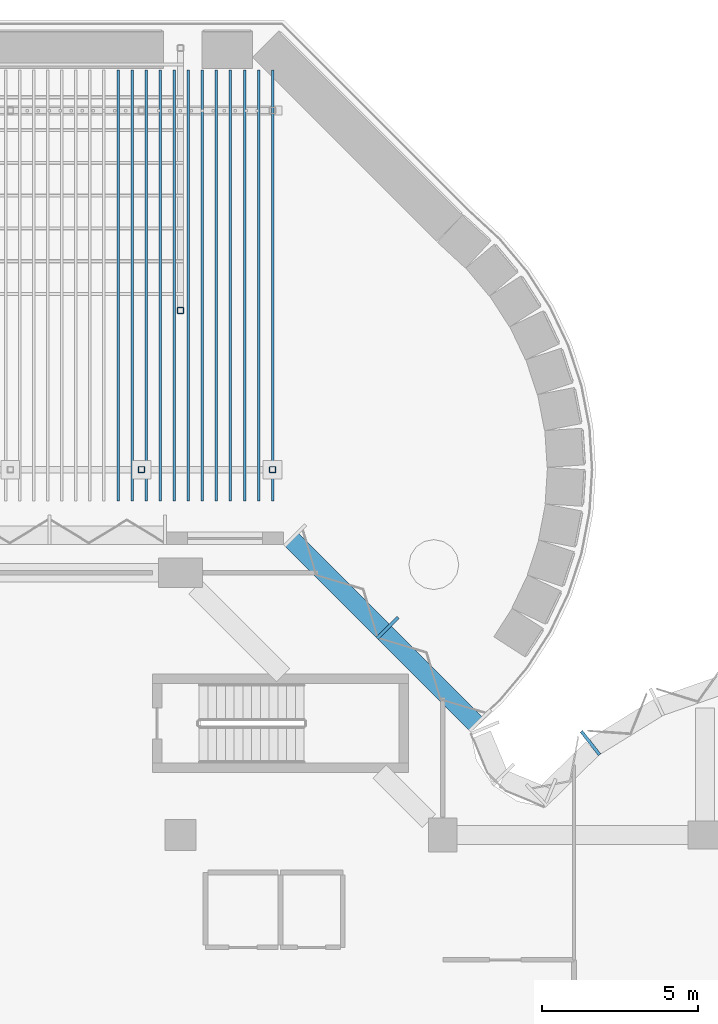
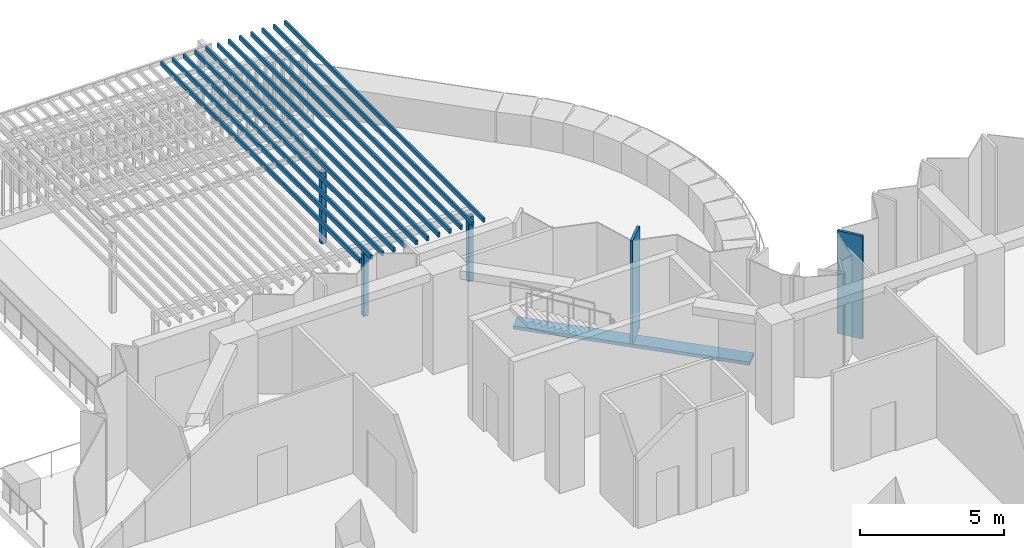
# One storey, part 4 of 15: 18 members, 2 elements without a shape of their own.
"""IFC4 building model written with IfcOpenShell, lengths in metres."""

from ifc_helpers import new_model, si_unit, direction, frame, origin, origin_2d, place, context, subcontext, project, spatial, rectangle, hollow_rectangle, extrude, material, material_profile, profile_set, type_object, element, aggregate, save


model = new_model("IFC4")

# Units and contexts
model_context = context("Model", 3, precision=1e-05, world=origin(), true_north=direction((0.0, 1.0)))
body_context = subcontext(model_context, "Body", "Model", "MODEL_VIEW")
ifc_project = project(units=[si_unit("LENGTHUNIT", "METRE"), si_unit("AREAUNIT", "SQUARE_METRE"), si_unit("VOLUMEUNIT", "CUBIC_METRE"), si_unit("PLANEANGLEUNIT", "RADIAN"), si_unit("MASSUNIT", "GRAM", prefix="KILO")], contexts=[model_context])

# Site, building, storey
site_placement = place(None, origin())
site = spatial("IfcSite", under=ifc_project, at=site_placement, CompositionType="ELEMENT")
building_placement = place(site_placement, origin())
building = spatial("IfcBuilding", under=site, at=building_placement, Name="Brevane Broadcast Tower", CompositionType="ELEMENT")
storey_placement = place(building_placement, frame((0.0, 0.0, 206.39990234375)))
storey = spatial("IfcBuildingStorey", under=building, at=storey_placement, Name="L52", CompositionType="ELEMENT", Elevation=206.39990234375)

# Curtain wall, member
ifc_material_1 = material(Name="Aluminium 6063-T6 bronze anodised", Category="aluminium")
curtain_wall_type = type_object("IfcCurtainWallType", Name="CW-4 curtain wall", PredefinedType="NOTDEFINED", material=ifc_material_1)
curtain_wall_1_placement = place(storey_placement, origin())
curtain_wall_1 = element("IfcCurtainWall", 1, at=curtain_wall_1_placement, inside=storey, type_object=curtain_wall_type, Name="CW-4 sky lobby unit L52 east bow", PredefinedType="NOTDEFINED")
ifc_material_profile_1 = material_profile(ifc_material_1, rectangle(XDim=0.949951171875, YDim=0.10009765625, at=origin_2d()), Name="RECT 100x950")
ifc_profile_set_1 = profile_set([ifc_material_profile_1], Name="Aluminium 6063-T6 bronze anodised")
member_type_1 = type_object("IfcMemberType", Name="CW-4 mullion 100x950", PredefinedType="MULLION", material=ifc_profile_set_1)
member_1_placement = place(storey_placement, frame((29.927978515625, 28.1455078125, -0.159912109375), z_axis=(0.0, 0.0, 1.0), x_axis=(0.614769698862, -0.788706673841, 0.0)))
member_1 = element("IfcMember", 2, at=member_1_placement, type_object=member_type_1, Name="CW-4 mullion", PredefinedType="MULLION", context=body_context, shape_type="SweptSolid", body=[
    extrude(rectangle(XDim=0.949951171875, YDim=0.10009765625, at=origin_2d()), origin(), (0.0, 0.0, 1.0), 4.360107421875),
])
aggregate(curtain_wall_1, [member_1])

# Curtain wall, members
curtain_wall_2_placement = place(storey_placement, origin())
curtain_wall_2 = element("IfcCurtainWall", 3, at=curtain_wall_2_placement, inside=storey, type_object=curtain_wall_type, Name="CW-4 sky lobby unit L52 north arm north-east chamfer", PredefinedType="NOTDEFINED")
member_2_placement = place(storey_placement, frame((23.435791015625, 31.8359375, -0.159912109375), z_axis=(0.0, 0.0, 1.0), x_axis=(-0.707106781187, -0.707106781187, 0.0)))
member_2 = element("IfcMember", 4, at=member_2_placement, type_object=member_type_1, Name="CW-4 mullion", PredefinedType="MULLION", context=body_context, shape_type="SweptSolid", body=[
    extrude(rectangle(XDim=0.949951171875, YDim=0.10009765625, at=origin_2d()), origin(), (0.0, 0.0, 1.0), 4.360107421875),
])
ifc_material_profile_2 = material_profile(ifc_material_1, rectangle(XDim=0.60009765625, YDim=0.139892578125, at=origin_2d()), Name="RECT 140x600")
ifc_profile_set_2 = profile_set([ifc_material_profile_2], Name="Aluminium 6063-T6 bronze anodised")
member_type_2 = type_object("IfcMemberType", Name="CW-4 transom 140x600", PredefinedType="USERDEFINED", material=ifc_profile_set_2)
member_3_placement = place(storey_placement, frame((26.31201171875, 28.712158203125, -0.22998046875), z_axis=(-0.707106781187, 0.707106781187, 0.0), x_axis=(-0.707106781187, -0.707106781187, 0.0)))
member_3 = element("IfcMember", 5, at=member_3_placement, type_object=member_type_2, Name="CW-4 transom", ObjectType="TRANSOM", PredefinedType="USERDEFINED", context=body_context, shape_type="SweptSolid", body=[
    extrude(rectangle(XDim=0.60009765625, YDim=0.139892578125, at=origin_2d()), origin(), (0.0, 0.0, 1.0), 8.4853515625),
])
aggregate(curtain_wall_2, [member_2, member_3])

# Members
ifc_material_2 = material(Name="Steel S355", Category="steel")
ifc_material_profile_3 = material_profile(ifc_material_2, hollow_rectangle(XDim=0.199951171875, YDim=0.199951171875, WallThickness=0.010009765625, InnerFilletRadius=0.010009765625, OuterFilletRadius=0.02001953125, at=origin_2d()), Name="RHS 200x200x10")
ifc_profile_set_3 = profile_set([ifc_material_profile_3], Name="Steel S355")
member_type_3 = type_object("IfcMemberType", Name="Sky garden pergola post RHS 200x200x10 S355", PredefinedType="POST", material=ifc_profile_set_3)
member_4_placement = place(storey_placement, frame((16.800048828125, 42.0, 0.0), z_axis=(0.0, 0.0, 1.0), x_axis=(1.0, 0.0, 0.0)))
element("IfcMember", 6, at=member_4_placement, inside=storey, type_object=member_type_3, Name="Sky garden pergola post L52-3", PredefinedType="POST", context=body_context, shape_type="SweptSolid", body=[
    extrude(hollow_rectangle(XDim=0.199951171875, YDim=0.199951171875, WallThickness=0.010009765625, InnerFilletRadius=0.010009765625, OuterFilletRadius=0.02001953125, at=origin_2d()), origin(), (0.0, 0.0, 1.0), 3.0),
])
for number, where, z_axis, x_axis, name in (
    (7, (15.550048828125, 36.89990234375, 0.4501953125), (0.0, 0.0, 1.0), (1.0, 0.0, 0.0), "Sky garden trellis post L52-3"),
    (8, (19.75, 36.89990234375, 0.4501953125), (0.0, 0.0, 1.0), (1.0, 0.0, 0.0), "Sky garden trellis post L52-4"),
):
    element("IfcMember", number, at=place(storey_placement, frame(where, z_axis=z_axis, x_axis=x_axis)), inside=storey, type_object=member_type_3, Name=name, PredefinedType="POST", context=body_context, shape_type="SweptSolid", body=[
        extrude(hollow_rectangle(XDim=0.199951171875, YDim=0.199951171875, WallThickness=0.010009765625, InnerFilletRadius=0.010009765625, OuterFilletRadius=0.02001953125, at=origin_2d()), origin(), (0.0, 0.0, 1.0), 2.75),
    ])
ifc_material_3 = material(Name="Glulam GL28h", Category="wood")
ifc_material_profile_4 = material_profile(ifc_material_3, rectangle(XDim=0.080078125, YDim=0.179931640625, at=origin_2d()), Name="RECT 80x180")
ifc_profile_set_4 = profile_set([ifc_material_profile_4], Name="Glulam GL28h")
member_type_4 = type_object("IfcMemberType", Name="Sky garden trellis rafter glulam 80x180 GL28h", PredefinedType="USERDEFINED", material=ifc_profile_set_4)
for number, where, z_axis, x_axis, name in (
    (9, (14.800048828125, 35.89990234375, 3.590087890625), (0.0, 1.0, 0.0), (-1.0, 0.0, 0.0), "Sky garden trellis rafter L52-18"),
    (10, (15.25, 35.89990234375, 3.590087890625), (0.0, 1.0, 0.0), (-1.0, 0.0, 0.0), "Sky garden trellis rafter L52-19"),
    (11, (15.699951171875, 35.89990234375, 3.590087890625), (0.0, 1.0, 0.0), (-1.0, 0.0, 0.0), "Sky garden trellis rafter L52-20"),
    (12, (16.14990234375, 35.89990234375, 3.590087890625), (0.0, 1.0, 0.0), (-1.0, 0.0, 0.0), "Sky garden trellis rafter L52-21"),
    (13, (16.60009765625, 35.89990234375, 3.590087890625), (0.0, 1.0, 0.0), (-1.0, 0.0, 0.0), "Sky garden trellis rafter L52-22"),
    (14, (17.050048828125, 35.89990234375, 3.590087890625), (0.0, 1.0, 0.0), (-1.0, 0.0, 0.0), "Sky garden trellis rafter L52-23"),
    (15, (17.5, 35.89990234375, 3.590087890625), (0.0, 1.0, 0.0), (-1.0, 0.0, 0.0), "Sky garden trellis rafter L52-24"),
    (16, (17.949951171875, 35.89990234375, 3.590087890625), (0.0, 1.0, 0.0), (-1.0, 0.0, 0.0), "Sky garden trellis rafter L52-25"),
    (17, (18.39990234375, 35.89990234375, 3.590087890625), (0.0, 1.0, 0.0), (-1.0, 0.0, 0.0), "Sky garden trellis rafter L52-26"),
    (18, (18.85009765625, 35.89990234375, 3.590087890625), (0.0, 1.0, 0.0), (-1.0, 0.0, 0.0), "Sky garden trellis rafter L52-27"),
    (19, (19.300048828125, 35.89990234375, 3.590087890625), (0.0, 1.0, 0.0), (-1.0, 0.0, 0.0), "Sky garden trellis rafter L52-28"),
    (20, (19.75, 35.89990234375, 3.590087890625), (0.0, 1.0, 0.0), (-1.0, 0.0, 0.0), "Sky garden trellis rafter L52-29"),
):
    element("IfcMember", number, at=place(storey_placement, frame(where, z_axis=z_axis, x_axis=x_axis)), inside=storey, type_object=member_type_4, Name=name, ObjectType="TRELLIS RAFTER", PredefinedType="USERDEFINED", context=body_context, shape_type="SweptSolid", body=[
        extrude(rectangle(XDim=0.080078125, YDim=0.179931640625, at=origin_2d()), origin(), (0.0, 0.0, 1.0), 13.800048828125),
    ])

save(model, "model.ifc")
